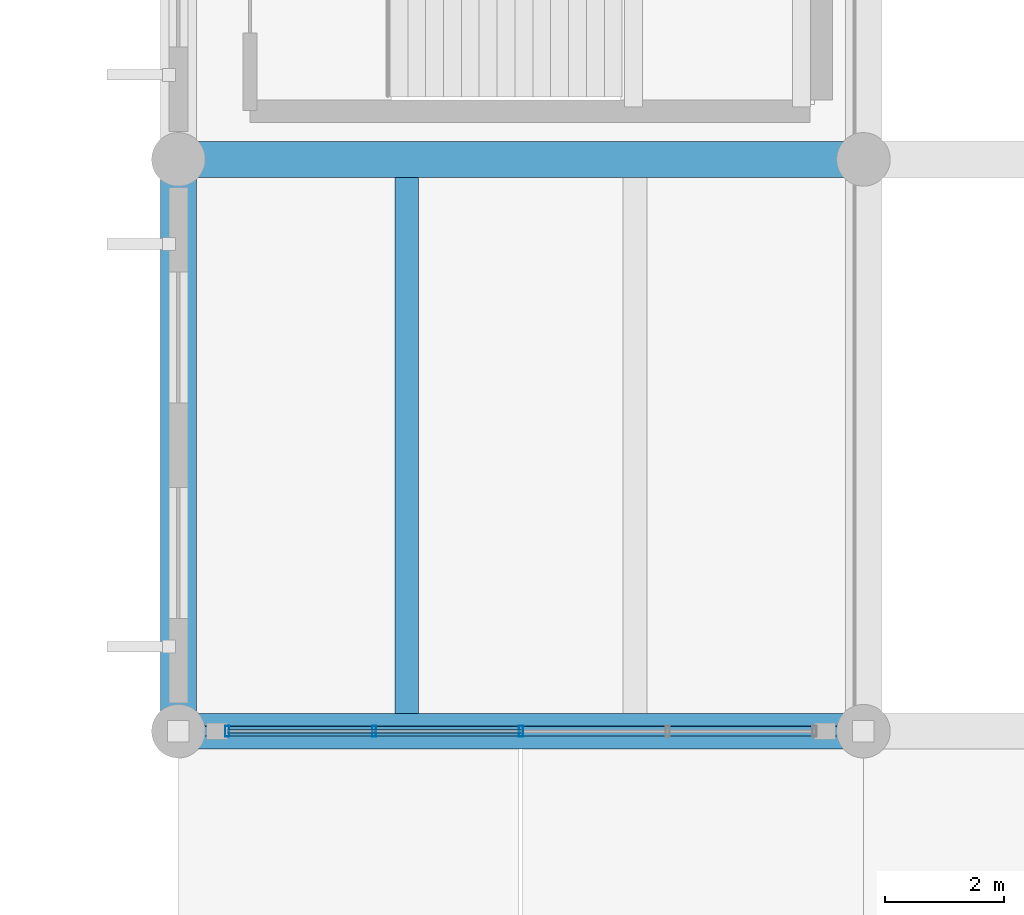
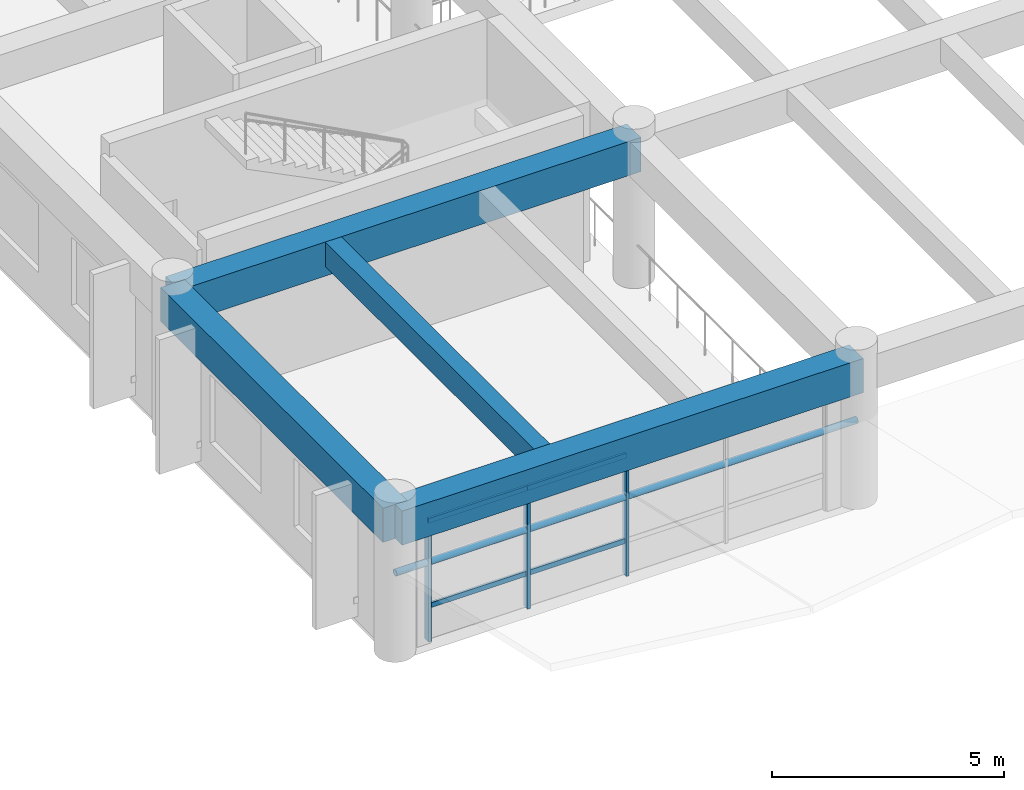
# One storey, part 9 of 98: 8 members, 4 beams, 1 element without a shape of its own.
"""IFC4 building model written with IfcOpenShell, lengths in metres."""

import ifcopenshell
import ifcopenshell.guid

model = None  # the IFC model being written
_history = None  # IfcOwnerHistory: only IFC2X3 demands one
_inside = {}  # id of a spatial element -> (the spatial element, [elements in it])
_under = {}  # id of a project, library or spatial element -> (it, [spatial elements below it])
_declared = {}  # id of a project -> (the project, [libraries it declares])
_typed = {}  # id of a type object -> (the type object, [elements of that type])
_made_of = {}  # id of a material, layer set ... -> (it, [elements and type objects made of it])


def new_model(schema):
    """Start an empty IFC model of exactly this schema.

    Asked for "IFC4X3", IfcOpenShell would pick the latest addendum, in which some entities
    have other attributes; the version numbers below select the first issue.
    IFC2X3 requires an IfcOwnerHistory on every rooted entity: one is made here for all.
    """
    global model, _history
    if schema == "IFC4X3":
        model = ifcopenshell.file(schema_version=(4, 3, 0, 0))
    else:
        model = ifcopenshell.file(schema=schema)
    _inside.clear()
    _under.clear()
    _declared.clear()
    _typed.clear()
    _made_of.clear()
    _history = None
    if model.schema == "IFC2X3":
        org = make("IfcOrganization", Name="unknown")
        user = make(
            "IfcPersonAndOrganization",
            ThePerson=make("IfcPerson", FamilyName="unknown"),
            TheOrganization=org,
        )
        app = make(
            "IfcApplication",
            ApplicationDeveloper=org,
            Version="unknown",
            ApplicationFullName="unknown",
            ApplicationIdentifier="unknown",
        )
        _history = make(
            "IfcOwnerHistory",
            OwningUser=user,
            OwningApplication=app,
            ChangeAction="ADDED",
            CreationDate=0,
        )
    return model


def make(cls, **values):
    """One entity of the class cls with the attributes given. An attribute that is None is left unset."""
    return model.create_entity(
        cls, **{name: value for name, value in values.items() if value is not None}
    )


def rooted(cls, **values):
    """An entity with a GlobalId (a new one), such as an element, a storey or a relation."""
    return make(cls, GlobalId=ifcopenshell.guid.new(), OwnerHistory=_history, **values)


def si_unit(unit_type, name, prefix=None):
    """IfcSIUnit, for example si_unit("LENGTHUNIT", "METRE", prefix="MILLI")."""
    return make("IfcSIUnit", UnitType=unit_type, Prefix=prefix, Name=name)


def assignment(units):
    """IfcUnitAssignment: the units of a project."""
    return None if units is None else make("IfcUnitAssignment", Units=units)


def point(xyz):
    """IfcCartesianPoint."""
    return None if xyz is None else make("IfcCartesianPoint", Coordinates=xyz)


def direction(xyz):
    """IfcDirection."""
    return None if xyz is None else make("IfcDirection", DirectionRatios=xyz)


def frame(location, z_axis=None, x_axis=None):
    """IfcAxis2Placement3D, a coordinate frame: its origin and axes. An axis left out is left unset."""
    return make(
        "IfcAxis2Placement3D",
        Location=point(location),
        Axis=direction(z_axis),
        RefDirection=direction(x_axis),
    )


def frame_2d(location, x_axis=None):
    """IfcAxis2Placement2D, a coordinate frame in the plane: its origin and x axis."""
    return make(
        "IfcAxis2Placement2D", Location=point(location), RefDirection=direction(x_axis)
    )


def origin():
    """The frame at (0, 0, 0) with its axes left unset."""
    return frame((0.0, 0.0, 0.0))


def origin_2d():
    """The frame at (0, 0) in the plane with its x axis left unset."""
    return frame_2d((0.0, 0.0))


def place(relative_to, where):
    """IfcLocalPlacement: puts the frame where relative to a parent placement (None: the world)."""
    return make(
        "IfcLocalPlacement", PlacementRelTo=relative_to, RelativePlacement=where
    )


def context(
    kind, dimensions, precision=None, world=None, true_north=None, identifier=None
):
    """IfcGeometricRepresentationContext, for example the 3D "Model" context."""
    return make(
        "IfcGeometricRepresentationContext",
        ContextIdentifier=identifier,
        ContextType=kind,
        CoordinateSpaceDimension=dimensions,
        Precision=precision,
        WorldCoordinateSystem=world,
        TrueNorth=true_north,
    )


def subcontext(parent, identifier, kind, view, scale=None):
    """IfcGeometricRepresentationSubContext, for example "Body" below "Model"."""
    return make(
        "IfcGeometricRepresentationSubContext",
        ContextIdentifier=identifier,
        ContextType=kind,
        ParentContext=parent,
        TargetScale=scale,
        TargetView=view,
    )


def project(units=None, contexts=None):
    """IfcProject with its units and contexts."""
    return rooted(
        "IfcProject",
        Name="project",
        RepresentationContexts=contexts,
        UnitsInContext=assignment(units),
    )


def spatial(cls, under=None, at=None, **own):
    """A site, building, storey or space (cls), placed at a placement, below another one or the project."""
    s = rooted(cls, ObjectPlacement=at, **own)
    if under is not None:
        _under.setdefault(under.id(), (under, []))[1].append(s)
    return s


def profile(cls, at=None, kind="AREA", **sizes):
    """A parametric profile (cls). Its sizes go by their IFC names, for example OverallWidth=200.0."""
    return make(cls, ProfileType=kind, Position=at, **sizes)


def rectangle(**sizes):
    """IfcRectangleProfileDef."""
    return profile("IfcRectangleProfileDef", **sizes)


def hollow_rectangle(**sizes):
    """IfcRectangleHollowProfileDef."""
    return profile("IfcRectangleHollowProfileDef", **sizes)


def hollow_circle(**sizes):
    """IfcCircleHollowProfileDef."""
    return profile("IfcCircleHollowProfileDef", **sizes)


def extrude(swept, where, along, depth):
    """IfcExtrudedAreaSolid: the profile swept, set in the frame where, extruded along a direction by depth."""
    return make(
        "IfcExtrudedAreaSolid",
        SweptArea=swept,
        Position=where,
        ExtrudedDirection=direction(along),
        Depth=depth,
    )


def shape(context_of_items, identifier, shape_type, items):
    """IfcShapeRepresentation: the items that make up one representation, for example the "Body"."""
    return make(
        "IfcShapeRepresentation",
        ContextOfItems=context_of_items,
        RepresentationIdentifier=identifier,
        RepresentationType=shape_type,
        Items=items,
    )


def material(Name=None, Category=None):
    """IfcMaterial."""
    return make("IfcMaterial", Name=Name, Category=Category)


def material_profile(
    of_material, cross_section, Name=None, Category=None, Priority=None
):
    """IfcMaterialProfile: a cross section and its material."""
    return make(
        "IfcMaterialProfile",
        Name=Name,
        Material=of_material,
        Profile=cross_section,
        Priority=Priority,
        Category=Category,
    )


def profile_set(profiles, Name=None, composite=None):
    """IfcMaterialProfileSet."""
    return make(
        "IfcMaterialProfileSet",
        Name=Name,
        MaterialProfiles=profiles,
        CompositeProfile=composite,
    )


def made_of(thing, what):
    """Note that an element or type object is made of a material, layer set ...; save() writes the relation."""
    if what is not None:
        _made_of.setdefault(what.id(), (what, []))[1].append(thing)
    return thing


def type_object(cls, material=None, **own):
    """A type object (cls), such as IfcWallType, which elements share."""
    return made_of(rooted(cls, **own), material)


def element(
    cls,
    number,
    at=None,
    inside=None,
    cuts=None,
    type_object=None,
    material=None,
    context=None,
    identifier="Body",
    shape_type=None,
    held_by="IfcProductDefinitionShape",
    body=None,
    shapes=None,
    **own,
):
    """One element of the class cls, such as IfcWall. Its Tag is "e" and its number.

    at: its placement. inside: the storey or other place that contains it. cuts: it is an
    opening in that element (IfcRelVoidsElement). A single representation is given by context,
    identifier, shape_type and body (its items); several are given by shapes. held_by: the class
    of the entity that holds the representations. save() writes the other relations.
    """
    e = rooted(cls, Tag="e%d" % number, ObjectPlacement=at, **own)
    if body is not None:
        shapes = [shape(context, identifier, shape_type, body)]
    if shapes is not None:
        e.Representation = make(held_by, Representations=shapes)
    if inside is not None:
        _inside.setdefault(inside.id(), (inside, []))[1].append(e)
    if cuts is not None:
        rooted(
            "IfcRelVoidsElement", RelatingBuildingElement=cuts, RelatedOpeningElement=e
        )
    if type_object is not None:
        _typed.setdefault(type_object.id(), (type_object, []))[1].append(e)
    return made_of(e, material)


def aggregate(whole, parts):
    """IfcRelAggregates: a whole, such as a stair, and the parts it consists of."""
    return rooted("IfcRelAggregates", RelatingObject=whole, RelatedObjects=parts)


def save(model, path):
    """Write the relations noted so far, then the file.

    IfcRelAggregates (storeys below a building ...), IfcRelContainedInSpatialStructure (elements
    in a storey), IfcRelDefinesByType, IfcRelAssociatesMaterial and IfcRelDeclares: one each for
    every whole, place, type object, material and project.
    """
    for whole, parts in _under.values():
        aggregate(whole, parts)
    for where, things in _inside.values():
        rooted(
            "IfcRelContainedInSpatialStructure",
            RelatedElements=things,
            RelatingStructure=where,
        )
    for kind, things in _typed.values():
        rooted("IfcRelDefinesByType", RelatedObjects=things, RelatingType=kind)
    for what, things in _made_of.values():
        rooted("IfcRelAssociatesMaterial", RelatedObjects=things, RelatingMaterial=what)
    for by, libraries in _declared.values():
        rooted("IfcRelDeclares", RelatingContext=by, RelatedDefinitions=libraries)
    model.write(path)


model = new_model("IFC4")

# Units and contexts
model_context = context("Model", 3, precision=1e-05, world=origin(), true_north=direction((0.0, 1.0)))
body_context = subcontext(model_context, "Body", "Model", "MODEL_VIEW")
ifc_project = project(units=[si_unit("LENGTHUNIT", "METRE"), si_unit("AREAUNIT", "SQUARE_METRE"), si_unit("VOLUMEUNIT", "CUBIC_METRE"), si_unit("PLANEANGLEUNIT", "RADIAN"), si_unit("MASSUNIT", "GRAM", prefix="KILO")], contexts=[model_context])

# Site, building, storey
site_placement = place(None, origin())
site = spatial("IfcSite", under=ifc_project, at=site_placement, CompositionType="ELEMENT")
building_placement = place(site_placement, origin())
building = spatial("IfcBuilding", under=site, at=building_placement, Name="Ologun Quay Terminus", CompositionType="ELEMENT")
storey_placement = place(building_placement, frame((0.0, 0.0, 4.199951171875)))
storey = spatial("IfcBuildingStorey", under=building, at=storey_placement, Name="L01", CompositionType="ELEMENT", Elevation=4.199951171875)

# Member
ifc_material_1 = material(Name="Steel S355", Category="steel")
ifc_material_profile_1 = material_profile(ifc_material_1, hollow_circle(Radius=0.084228515625, WallThickness=0.00634765625, at=origin_2d()), Name="CHS 168.3x6.3")
ifc_profile_set_1 = profile_set([ifc_material_profile_1], Name="Steel S355")
member_type_1 = type_object("IfcMemberType", Name="Canopy Tie Strut CHS168", PredefinedType="STRUT", material=ifc_profile_set_1)
member_1_placement = place(storey_placement, frame((57.5, 8.0, 2.050048828125), z_axis=(1.0, 0.0, 0.0), x_axis=(0.0, 1.0, 0.0)))
element("IfcMember", 1, at=member_1_placement, inside=storey, type_object=member_type_1, Name="WB4 Canopy Tie S-6", PredefinedType="STRUT", context=body_context, shape_type="SweptSolid", body=[
    extrude(hollow_circle(Radius=0.084228515625, WallThickness=0.00634765625, at=origin_2d()), origin(), (0.0, 0.0, 1.0), 11.5),
])

# Curtain wall, members
ifc_material_2 = material(Name="Aluminium 6063-T6", Category="aluminium")
curtain_wall_type = type_object("IfcCurtainWallType", Name="Ticket Hall Upper Portal Curtain Wall 10700x3800", PredefinedType="USERDEFINED", material=ifc_material_2)
curtain_wall_placement = place(storey_placement, origin())
curtain_wall = element("IfcCurtainWall", 2, at=curtain_wall_placement, inside=storey, type_object=curtain_wall_type, Name="CW-02 Curtain Wall CW-L01-014", ObjectType="UNITISED CURTAIN WALL", PredefinedType="USERDEFINED")
ifc_material_3 = material(Name="Aluminium 6063-T6", Category="aluminium")
ifc_material_profile_2 = material_profile(ifc_material_3, hollow_rectangle(XDim=0.070068359375, YDim=0.179931640625, WallThickness=0.0048828125, at=origin_2d()), Name="ALU 180x70x5")
ifc_profile_set_2 = profile_set([ifc_material_profile_2], Name="Aluminium 6063-T6")
member_type_2 = type_object("IfcMemberType", Name="Curtain Wall Heavy Mullion 180x70", PredefinedType="MULLION", material=ifc_profile_set_2)
member_2_placement = place(storey_placement, frame((58.320068359375, 8.0, 0.0), z_axis=(0.0, 0.0, 1.0), x_axis=(1.0, 0.0, 0.0)))
member_2 = element("IfcMember", 3, at=member_2_placement, type_object=member_type_2, Name="CW-L01-014 Mullion 1", PredefinedType="MULLION", context=body_context, shape_type="SweptSolid", body=[
    extrude(hollow_rectangle(XDim=0.070068359375, YDim=0.179931640625, WallThickness=0.0048828125, at=origin_2d()), origin(), (0.0, 0.0, 1.0), 3.840087890625),
])
member_3_placement = place(storey_placement, frame((60.784912109375, 8.0, 0.0), z_axis=(0.0, 0.0, 1.0), x_axis=(1.0, 0.0, 0.0)))
member_3 = element("IfcMember", 4, at=member_3_placement, type_object=member_type_2, Name="CW-L01-014 Mullion 2", PredefinedType="MULLION", context=body_context, shape_type="SweptSolid", body=[
    extrude(hollow_rectangle(XDim=0.070068359375, YDim=0.179931640625, WallThickness=0.0048828125, at=origin_2d()), origin(), (0.0, 0.0, 1.0), 3.840087890625),
])
member_4_placement = place(storey_placement, frame((63.25, 8.0, 0.0), z_axis=(0.0, 0.0, 1.0), x_axis=(1.0, 0.0, 0.0)))
member_4 = element("IfcMember", 5, at=member_4_placement, type_object=member_type_2, Name="CW-L01-014 Mullion 3", PredefinedType="MULLION", context=body_context, shape_type="SweptSolid", body=[
    extrude(hollow_rectangle(XDim=0.070068359375, YDim=0.179931640625, WallThickness=0.0048828125, at=origin_2d()), origin(), (0.0, 0.0, 1.0), 3.840087890625),
])
ifc_material_4 = material(Name="Aluminium 6063-T6", Category="aluminium")
ifc_material_profile_3 = material_profile(ifc_material_4, hollow_rectangle(XDim=0.06005859375, YDim=0.1298828125, WallThickness=0.00390625, at=origin_2d()), Name="ALU 130x60x4")
ifc_profile_set_3 = profile_set([ifc_material_profile_3], Name="Aluminium 6063-T6")
member_type_3 = type_object("IfcMemberType", Name="Curtain Wall Heavy Transom 130x60", PredefinedType="USERDEFINED", material=ifc_profile_set_3)
member_5_placement = place(storey_placement, frame((58.320068359375, 8.0, 0.900146484375), z_axis=(1.0, 0.0, 0.0), x_axis=(0.0, 1.0, 0.0)))
member_5 = element("IfcMember", 6, at=member_5_placement, type_object=member_type_3, Name="CW-L01-014 Transom B1-1", ObjectType="TRANSOM", PredefinedType="USERDEFINED", context=body_context, shape_type="SweptSolid", body=[
    extrude(hollow_rectangle(XDim=0.06005859375, YDim=0.1298828125, WallThickness=0.00390625, at=origin_2d()), origin(), (0.0, 0.0, 1.0), 2.46484375),
])
member_6_placement = place(storey_placement, frame((58.320068359375, 8.0, 3.14013671875), z_axis=(1.0, 0.0, 0.0), x_axis=(0.0, 1.0, 0.0)))
member_6 = element("IfcMember", 7, at=member_6_placement, type_object=member_type_3, Name="CW-L01-014 Transom B1-2", ObjectType="TRANSOM", PredefinedType="USERDEFINED", context=body_context, shape_type="SweptSolid", body=[
    extrude(hollow_rectangle(XDim=0.06005859375, YDim=0.1298828125, WallThickness=0.00390625, at=origin_2d()), origin(), (0.0, 0.0, 1.0), 2.46484375),
])
member_7_placement = place(storey_placement, frame((60.784912109375, 8.0, 0.900146484375), z_axis=(1.0, 0.0, 0.0), x_axis=(0.0, 1.0, 0.0)))
member_7 = element("IfcMember", 8, at=member_7_placement, type_object=member_type_3, Name="CW-L01-014 Transom B2-1", ObjectType="TRANSOM", PredefinedType="USERDEFINED", context=body_context, shape_type="SweptSolid", body=[
    extrude(hollow_rectangle(XDim=0.06005859375, YDim=0.1298828125, WallThickness=0.00390625, at=origin_2d()), origin(), (0.0, 0.0, 1.0), 2.465087890625),
])
member_8_placement = place(storey_placement, frame((60.784912109375, 8.0, 3.14013671875), z_axis=(1.0, 0.0, 0.0), x_axis=(0.0, 1.0, 0.0)))
member_8 = element("IfcMember", 9, at=member_8_placement, type_object=member_type_3, Name="CW-L01-014 Transom B2-2", ObjectType="TRANSOM", PredefinedType="USERDEFINED", context=body_context, shape_type="SweptSolid", body=[
    extrude(hollow_rectangle(XDim=0.06005859375, YDim=0.1298828125, WallThickness=0.00390625, at=origin_2d()), origin(), (0.0, 0.0, 1.0), 2.465087890625),
])
aggregate(curtain_wall, [member_2, member_3, member_4, member_5, member_6, member_7, member_8])

# Beams
ifc_material_5 = material(Name="Concrete C40/50", Category="concrete")
ifc_material_profile_4 = material_profile(ifc_material_5, rectangle(XDim=0.60009765625, YDim=0.89990234375, at=origin_2d()), Name="RC 600x900")
ifc_profile_set_4 = profile_set([ifc_material_profile_4], Name="Concrete C40/50")
beam_type_1 = type_object("IfcBeamType", Name="Station Frame Girder 600x900", PredefinedType="BEAM", material=ifc_profile_set_4)
for number, where, z_axis, x_axis, name in (
    (10, (57.5, 8.0, 3.400146484375), (1.0, 0.0, 0.0), (0.0, 1.0, 0.0), "B3 Beam 6/B L01"),
    (11, (57.5, 17.60009765625, 3.400146484375), (1.0, 0.0, 0.0), (0.0, 1.0, 0.0), "B3 Beam 6/C L01"),
):
    element("IfcBeam", number, at=place(storey_placement, frame(where, z_axis=z_axis, x_axis=x_axis)), inside=storey, type_object=beam_type_1, Name=name, PredefinedType="BEAM", context=body_context, shape_type="SweptSolid", body=[
        extrude(rectangle(XDim=0.60009765625, YDim=0.89990234375, at=origin_2d()), origin(), (0.0, 0.0, 1.0), 11.5),
    ])
beam_1_placement = place(storey_placement, frame((57.5, 8.0, 3.400146484375), z_axis=(0.0, 1.0, 0.0), x_axis=(-1.0, 0.0, 0.0)))
element("IfcBeam", 12, at=beam_1_placement, inside=storey, type_object=beam_type_1, Name="B3 Beam 6/B L01", PredefinedType="BEAM", context=body_context, shape_type="SweptSolid", body=[
    extrude(rectangle(XDim=0.60009765625, YDim=0.89990234375, at=origin_2d()), origin(), (0.0, 0.0, 1.0), 9.60009765625),
])
ifc_material_6 = material(Name="Concrete C40/50", Category="concrete")
ifc_material_profile_5 = material_profile(ifc_material_6, rectangle(XDim=0.39990234375, YDim=0.64990234375, at=origin_2d()), Name="RC 400x650")
ifc_profile_set_5 = profile_set([ifc_material_profile_5], Name="Concrete C40/50")
beam_type_2 = type_object("IfcBeamType", Name="Station Secondary Joist 400x650", PredefinedType="JOIST", material=ifc_profile_set_5)
beam_2_placement = place(storey_placement, frame((61.333251953125, 8.300048828125, 3.525146484375), z_axis=(0.0, 1.0, 0.0), x_axis=(-1.0, 0.0, 0.0)))
element("IfcBeam", 13, at=beam_2_placement, inside=storey, type_object=beam_type_2, Name="J1 Beam 6/B L01", PredefinedType="JOIST", context=body_context, shape_type="SweptSolid", body=[
    extrude(rectangle(XDim=0.39990234375, YDim=0.64990234375, at=origin_2d()), origin(), (0.0, 0.0, 1.0), 9.0),
])

save(model, "model.ifc")
